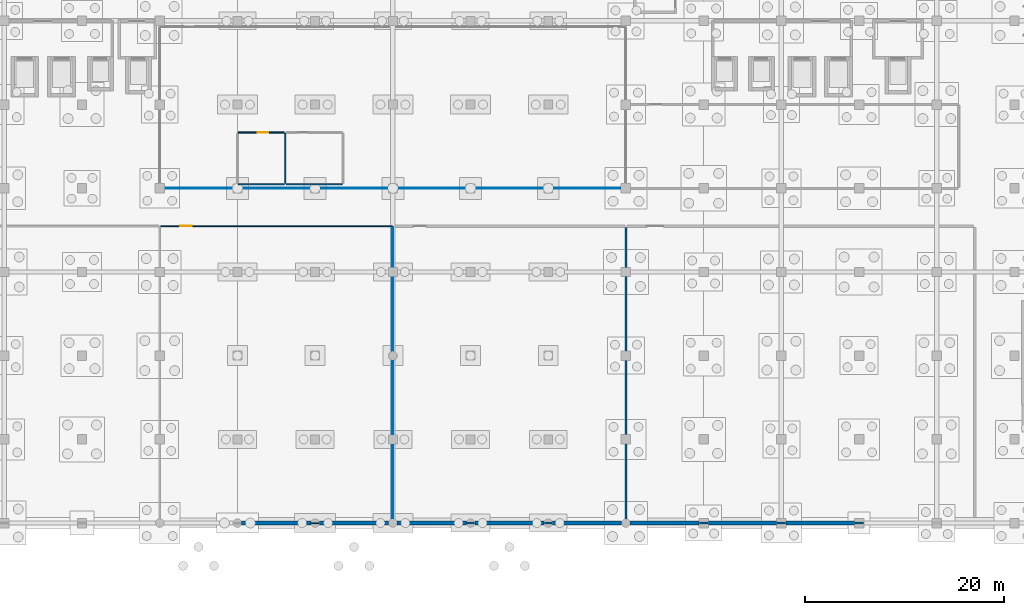
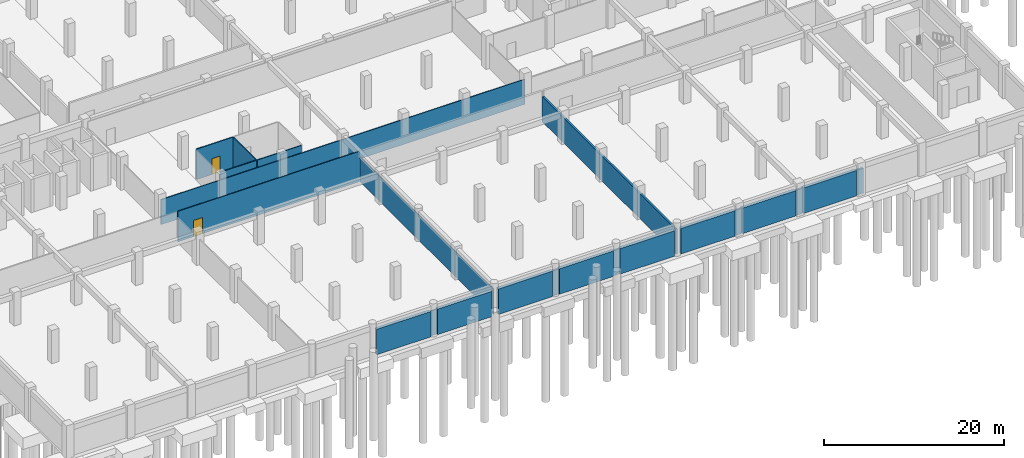
# One storey, part 15 of 30: 22 walls, 2 doors, 2 openings.
"""IFC4 building model written with IfcOpenShell, lengths in metres."""

from ifc_helpers import new_model, si_unit, direction, frame, frame_2d, origin, place, context, subcontext, project, spatial, rectangle, extrude, material, layer, layer_set, type_object, element, fill, save


model = new_model("IFC4")

# Units and contexts
model_context = context("Model", 3, precision=1e-05, world=origin(), true_north=direction((0.0, 1.0)))
body_context = subcontext(model_context, "Body", "Model", "MODEL_VIEW")
ifc_project = project(units=[si_unit("LENGTHUNIT", "METRE"), si_unit("AREAUNIT", "SQUARE_METRE"), si_unit("VOLUMEUNIT", "CUBIC_METRE"), si_unit("PLANEANGLEUNIT", "RADIAN"), si_unit("MASSUNIT", "GRAM", prefix="KILO"), si_unit("THERMODYNAMICTEMPERATUREUNIT", "KELVIN"), si_unit("POWERUNIT", "WATT")], contexts=[model_context])

# Site, building, storey
site_placement = place(None, origin())
site = spatial("IfcSite", under=ifc_project, at=site_placement, CompositionType="ELEMENT")
building_placement = place(site_placement, origin())
building = spatial("IfcBuilding", under=site, at=building_placement, Name="Srebrne Nadtorze General Hospital", CompositionType="ELEMENT")
storey_placement = place(building_placement, frame((0.0, 0.0, -4.5)))
storey = spatial("IfcBuildingStorey", under=building, at=storey_placement, Name="B1", CompositionType="ELEMENT", Elevation=-4.5)

# Walls
ifc_material_1 = material(Name="Concrete C35/45", Category="concrete")
ifc_layer_1 = layer(ifc_material_1, 0.39990234375)
ifc_layer_set_1 = layer_set([ifc_layer_1], Name="Concrete C35/45")
wall_type_1 = type_object("IfcWallType", Name="Basement retaining wall 400", PredefinedType="SOLIDWALL", material=ifc_layer_set_1)
for number, where, z_axis, x_axis, name in (
    (1, (62.824951171875, 0.0, 0.0), (0.0, 0.0, 1.0), (1.0, 0.0, 0.0), "Exterior wall WL-ENV-B1-0006"),
    (2, (70.625, 0.0, 0.0), (0.0, 0.0, 1.0), (1.0, 0.0, 0.0), "Exterior wall WL-ENV-B1-0007"),
    (3, (78.425048828125, 0.0, 0.0), (0.0, 0.0, 1.0), (1.0, 0.0, 0.0), "Exterior wall WL-ENV-B1-0008"),
    (4, (86.22509765625, 0.0, 0.0), (0.0, 0.0, 1.0), (1.0, 0.0, 0.0), "Exterior wall WL-ENV-B1-0009"),
):
    element("IfcWall", number, at=place(storey_placement, frame(where, z_axis=z_axis, x_axis=x_axis)), inside=storey, type_object=wall_type_1, Name=name, PredefinedType="SOLIDWALL", context=body_context, shape_type="SweptSolid", body=[
        extrude(rectangle(XDim=6.949951171875, YDim=0.39990234375, at=frame_2d((3.47509765625, 0.0))), origin(), (0.0, 0.0, 1.0), 3.449951171875),
    ])
wall_1_placement = place(storey_placement, frame((94.02490234375, 0.0, 0.0), z_axis=(0.0, 0.0, 1.0), x_axis=(1.0, 0.0, 0.0)))
element("IfcWall", 5, at=wall_1_placement, inside=storey, type_object=wall_type_1, Name="Exterior wall WL-ENV-B1-0010", PredefinedType="SOLIDWALL", context=body_context, shape_type="SweptSolid", body=[
    extrude(rectangle(XDim=6.9501953125, YDim=0.39990234375, at=frame_2d((3.47509765625, 0.0))), origin(), (0.0, 0.0, 1.0), 3.449951171875),
])
wall_2_placement = place(storey_placement, frame((101.824951171875, 0.0, 0.0), z_axis=(0.0, 0.0, 1.0), x_axis=(1.0, 0.0, 0.0)))
element("IfcWall", 6, at=wall_2_placement, inside=storey, type_object=wall_type_1, Name="Exterior wall WL-ENV-B1-0011", PredefinedType="SOLIDWALL", context=body_context, shape_type="SweptSolid", body=[
    extrude(rectangle(XDim=6.900146484375, YDim=0.39990234375, at=frame_2d((3.4501953125, 0.0))), origin(), (0.0, 0.0, 1.0), 3.449951171875),
])
for number, where, z_axis, x_axis, name in (
    (7, (109.675048828125, 0.0, 0.0), (0.0, 0.0, 1.0), (1.0, 0.0, 0.0), "Exterior wall WL-ENV-B1-0012"),
    (8, (117.47509765625, 0.0, 0.0), (0.0, 0.0, 1.0), (1.0, 0.0, 0.0), "Exterior wall WL-ENV-B1-0013"),
):
    element("IfcWall", number, at=place(storey_placement, frame(where, z_axis=z_axis, x_axis=x_axis)), inside=storey, type_object=wall_type_1, Name=name, PredefinedType="SOLIDWALL", context=body_context, shape_type="SweptSolid", body=[
        extrude(rectangle(XDim=6.849853515625, YDim=0.39990234375, at=frame_2d((3.4248046875, 0.0))), origin(), (0.0, 0.0, 1.0), 3.449951171875),
    ])
ifc_material_2 = material(Name="Gypsum Healthcare Partition")
ifc_layer_2 = layer(ifc_material_2, 0.239990234375)
ifc_layer_set_2 = layer_set([ifc_layer_2], Name="Gypsum Healthcare Partition")
wall_type_2 = type_object("IfcWallType", Name="Corridor fire wall 240", PredefinedType="STANDARD", material=ifc_layer_set_2)
for number, where, z_axis, x_axis, name in (
    (9, (85.4150390625, 0.0, 0.0), (0.0, 0.0, 1.0), (1.0, 0.0, 0.0), "Hospital Linen and Sterile Logistics wall WL-INT-B1-1239"),
    (10, (93.215087890625, 0.0, 0.0), (0.0, 0.0, 1.0), (1.0, 0.0, 0.0), "Hospital Linen and Sterile Logistics wall WL-INT-B1-1240"),
):
    element("IfcWall", number, at=place(storey_placement, frame(where, z_axis=z_axis, x_axis=x_axis)), inside=storey, type_object=wall_type_2, Name=name, PredefinedType="STANDARD", context=body_context, shape_type="SweptSolid", body=[
        extrude(rectangle(XDim=0.77001953125, YDim=0.239990234375, at=frame_2d((0.385009765625, 0.0))), origin(), (0.0, 0.0, 1.0), 3.39990234375),
    ])
wall_3_placement = place(storey_placement, frame((101.39990234375, 0.110107421875, 0.0), z_axis=(0.0, 0.0, 1.0), x_axis=(0.0, 1.0, 0.0)))
element("IfcWall", 11, at=wall_3_placement, inside=storey, type_object=wall_type_2, Name="Hospital Linen and Sterile Logistics wall WL-INT-B1-1241", PredefinedType="STANDARD", context=body_context, shape_type="SweptSolid", body=[
    extrude(rectangle(XDim=29.579833984375, YDim=0.239990234375, at=frame_2d((14.7900390625, 0.0))), origin(), (0.0, 0.0, 1.0), 3.39990234375),
])
for number, where, z_axis, x_axis, name in (
    (12, (108.764892578125, 0.0, 0.0), (0.0, 0.0, 1.0), (1.0, 0.0, 0.0), "Primary Chiller and District Heat Plant wall WL-INT-B1-1243"),
    (13, (116.56494140625, 0.0, 0.0), (0.0, 0.0, 1.0), (1.0, 0.0, 0.0), "Primary Chiller and District Heat Plant wall WL-INT-B1-1244"),
    (14, (124.364990234375, 0.0, 0.0), (0.0, 0.0, 1.0), (1.0, 0.0, 0.0), "Primary Chiller and District Heat Plant wall WL-INT-B1-1245"),
):
    element("IfcWall", number, at=place(storey_placement, frame(where, z_axis=z_axis, x_axis=x_axis)), inside=storey, type_object=wall_type_2, Name=name, PredefinedType="STANDARD", context=body_context, shape_type="SweptSolid", body=[
        extrude(rectangle(XDim=0.8701171875, YDim=0.239990234375, at=frame_2d((0.43505859375, 0.0))), origin(), (0.0, 0.0, 1.0), 3.39990234375),
    ])

# Wall, opening, door
ifc_material_3 = material(Name="Gypsum Healthcare Partition")
ifc_layer_3 = layer(ifc_material_3, 0.1201171875)
ifc_layer_set_3 = layer_set([ifc_layer_3], Name="Gypsum Healthcare Partition")
wall_type_3 = type_object("IfcWallType", Name="En-suite partition 120", PredefinedType="PARTITIONING", material=ifc_layer_set_3)
wall_4_placement = place(storey_placement, frame((62.485107421875, 39.199951171875, 0.0), z_axis=(0.0, 0.0, 1.0), x_axis=(1.0, 0.0, 0.0)))
wall_4 = element("IfcWall", 15, at=wall_4_placement, inside=storey, type_object=wall_type_3, Name="Accessible WC wall WL-INT-B1-1265", PredefinedType="PARTITIONING", context=body_context, shape_type="SweptSolid", body=[
    extrude(rectangle(XDim=4.6298828125, YDim=0.1201171875, at=frame_2d((2.31494140625, 0.0))), origin(), (0.0, 0.0, 1.0), 4.1298828125),
])
opening_1_placement = place(wall_4_placement, frame((1.977783203125, 0.0, 0.0)))
opening_1 = element("IfcOpeningElement", 16, at=opening_1_placement, cuts=wall_4, Name="Opening D-B1-0180", PredefinedType="OPENING", context=body_context, shape_type="SweptSolid", body=[
    extrude(rectangle(XDim=1.02001953125, YDim=2.14990234375, at=frame_2d((0.510009765625, 1.074951171875))), frame((0.0, 0.072021484375, 0.0), z_axis=(0.0, -1.0, 0.0), x_axis=(1.0, 0.0, 0.0)), (0.0, 0.0, 1.0), 0.14404296875),
])
ifc_material_4 = material(Name="Anodised Aluminium", Category="aluminium")
door_type_1 = type_object("IfcDoorType", Name="Single leaf door 1020x2150", OperationType="NOTDEFINED", PredefinedType="DOOR", material=ifc_material_4)
door_1_placement = place(opening_1_placement, frame((1.02001953125, 0.0, 0.0), z_axis=(0.0, 0.0, 1.0), x_axis=(-1.0, 0.0, 0.0)))
door_1 = element("IfcDoor", 17, at=door_1_placement, inside=storey, type_object=door_type_1, Name="Accessible WC door D-B1-0180", OperationType="SINGLE_SWING_RIGHT", OverallHeight=2.14990234375, OverallWidth=1.02001953125, PredefinedType="DOOR", context=body_context, shape_type="SweptSolid", body=[
    extrude(rectangle(XDim=1.02001953125, YDim=2.14990234375, at=frame_2d((0.510009765625, 1.074951171875))), frame((0.0, 0.02490234375, 0.0), z_axis=(0.0, -1.0, 0.0), x_axis=(1.0, 0.0, 0.0)), (0.0, 0.0, 1.0), 0.050048828125),
])
fill(opening_1, door_1)

# Walls
wall_5_placement = place(storey_placement, frame((62.485107421875, 34.0, 0.0), z_axis=(0.0, 0.0, 1.0), x_axis=(1.0, 0.0, 0.0)))
element("IfcWall", 18, at=wall_5_placement, inside=storey, type_object=wall_type_3, Name="Accessible WC wall WL-INT-B1-1266", PredefinedType="PARTITIONING", context=body_context, shape_type="SweptSolid", body=[
    extrude(rectangle(XDim=4.6298828125, YDim=0.1201171875, at=frame_2d((2.31494140625, 0.0))), origin(), (0.0, 0.0, 1.0), 4.1298828125),
])
wall_6_placement = place(storey_placement, frame((67.199951171875, 34.0849609375, 0.0), z_axis=(0.0, 0.0, 1.0), x_axis=(0.0, 1.0, 0.0)))
element("IfcWall", 19, at=wall_6_placement, inside=storey, type_object=wall_type_3, Name="Accessible WC wall WL-INT-B1-1268", PredefinedType="PARTITIONING", context=body_context, shape_type="SweptSolid", body=[
    extrude(rectangle(XDim=5.030029296875, YDim=0.1201171875, at=frame_2d((2.51513671875, 0.0))), origin(), (0.0, 0.0, 1.0), 4.1298828125),
])
wall_7_placement = place(storey_placement, frame((67.284912109375, 34.0, 0.0), z_axis=(0.0, 0.0, 1.0), x_axis=(1.0, 0.0, 0.0)))
element("IfcWall", 20, at=wall_7_placement, inside=storey, type_object=wall_type_3, Name="Staff WC wall WL-INT-B1-1270", PredefinedType="PARTITIONING", context=body_context, shape_type="SweptSolid", body=[
    extrude(rectangle(XDim=5.630126953125, YDim=0.1201171875, at=frame_2d((2.81494140625, 0.0))), origin(), (0.0, 0.0, 1.0), 4.1298828125),
])

# Wall, opening, door
ifc_material_5 = material(Name="Gypsum Healthcare Partition")
ifc_layer_4 = layer(ifc_material_5, 0.10009765625)
ifc_layer_set_4 = layer_set([ifc_layer_4], Name="Gypsum Healthcare Partition")
wall_type_4 = type_object("IfcWallType", Name="Shaft lining wall 100", PredefinedType="PARTITIONING", material=ifc_layer_set_4)
wall_8_placement = place(storey_placement, frame((54.68505859375, 29.800048828125, 0.0), z_axis=(0.0, 0.0, 1.0), x_axis=(1.0, 0.0, 0.0)))
wall_8 = element("IfcWall", 21, at=wall_8_placement, inside=storey, type_object=wall_type_4, Name="Hospital Central Kitchen and Catering wall WL-INT-B1-1234", PredefinedType="PARTITIONING", context=body_context, shape_type="SweptSolid", body=[
    extrude(rectangle(XDim=23.22998046875, YDim=0.10009765625, at=frame_2d((11.614990234375, 0.0))), origin(), (0.0, 0.0, 1.0), 4.1298828125),
])
opening_2_placement = place(wall_8_placement, frame((1.98779296875, 0.0, 0.0)))
opening_2 = element("IfcOpeningElement", 22, at=opening_2_placement, cuts=wall_8, Name="Opening D-B1-0173", PredefinedType="OPENING", context=body_context, shape_type="SweptSolid", body=[
    extrude(rectangle(XDim=1.1201171875, YDim=2.199951171875, at=frame_2d((0.56005859375, 1.10009765625))), frame((0.0, 0.06201171875, 0.0), z_axis=(0.0, -1.0, 0.0), x_axis=(1.0, 0.0, 0.0)), (0.0, 0.0, 1.0), 0.1240234375),
])
ifc_material_6 = material(Name="Anodised Aluminium", Category="aluminium")
door_type_2 = type_object("IfcDoorType", Name="Single leaf door 1120x2200", OperationType="NOTDEFINED", PredefinedType="DOOR", material=ifc_material_6)
door_2_placement = place(opening_2_placement, frame((1.1201171875, 0.0, 0.0), z_axis=(0.0, 0.0, 1.0), x_axis=(-1.0, 0.0, 0.0)))
door_2 = element("IfcDoor", 23, at=door_2_placement, inside=storey, type_object=door_type_2, Name="Hospital Central Kitchen and Catering door D-B1-0173", OperationType="SINGLE_SWING_RIGHT", OverallHeight=2.199951171875, OverallWidth=1.1201171875, PredefinedType="DOOR", context=body_context, shape_type="SweptSolid", body=[
    extrude(rectangle(XDim=1.1201171875, YDim=2.199951171875, at=frame_2d((0.56005859375, 1.10009765625))), frame((0.0, 0.02490234375, 0.0), z_axis=(0.0, -1.0, 0.0), x_axis=(1.0, 0.0, 0.0)), (0.0, 0.0, 1.0), 0.050048828125),
])
fill(opening_2, door_2)

# Walls
wall_9_placement = place(storey_placement, frame((69.81494140625, 0.0, 0.0), z_axis=(0.0, 0.0, 1.0), x_axis=(1.0, 0.0, 0.0)))
element("IfcWall", 24, at=wall_9_placement, inside=storey, type_object=wall_type_4, Name="Hospital Central Kitchen and Catering wall WL-INT-B1-1236", PredefinedType="PARTITIONING", context=body_context, shape_type="SweptSolid", body=[
    extrude(rectangle(XDim=0.77001953125, YDim=0.10009765625, at=frame_2d((0.385009765625, 0.0))), origin(), (0.0, 0.0, 1.0), 3.39990234375),
])
wall_10_placement = place(storey_placement, frame((78.0, 0.0849609375, 0.0), z_axis=(0.0, 0.0, 1.0), x_axis=(0.0, 1.0, 0.0)))
element("IfcWall", 25, at=wall_10_placement, inside=storey, type_object=wall_type_4, Name="Hospital Central Kitchen and Catering wall WL-INT-B1-1237", PredefinedType="PARTITIONING", context=body_context, shape_type="SweptSolid", body=[
    extrude(rectangle(XDim=29.630126953125, YDim=0.10009765625, at=frame_2d((14.81494140625, 0.0))), origin(), (0.0, 0.0, 1.0), 3.39990234375),
])
wall_11_placement = place(storey_placement, frame((54.68505859375, 33.60009765625, 0.0), z_axis=(0.0, 0.0, 1.0), x_axis=(1.0, 0.0, 0.0)))
element("IfcWall", 26, at=wall_11_placement, inside=storey, type_object=wall_type_4, Name="Biomedical Equipment Maintenance Workshop wall WL-INT-B1-1273", PredefinedType="PARTITIONING", context=body_context, shape_type="SweptSolid", body=[
    extrude(rectangle(XDim=46.6298828125, YDim=0.10009765625, at=frame_2d((23.31494140625, 0.0))), origin(), (0.0, 0.0, 1.0), 3.39990234375),
])

save(model, "model.ifc")
